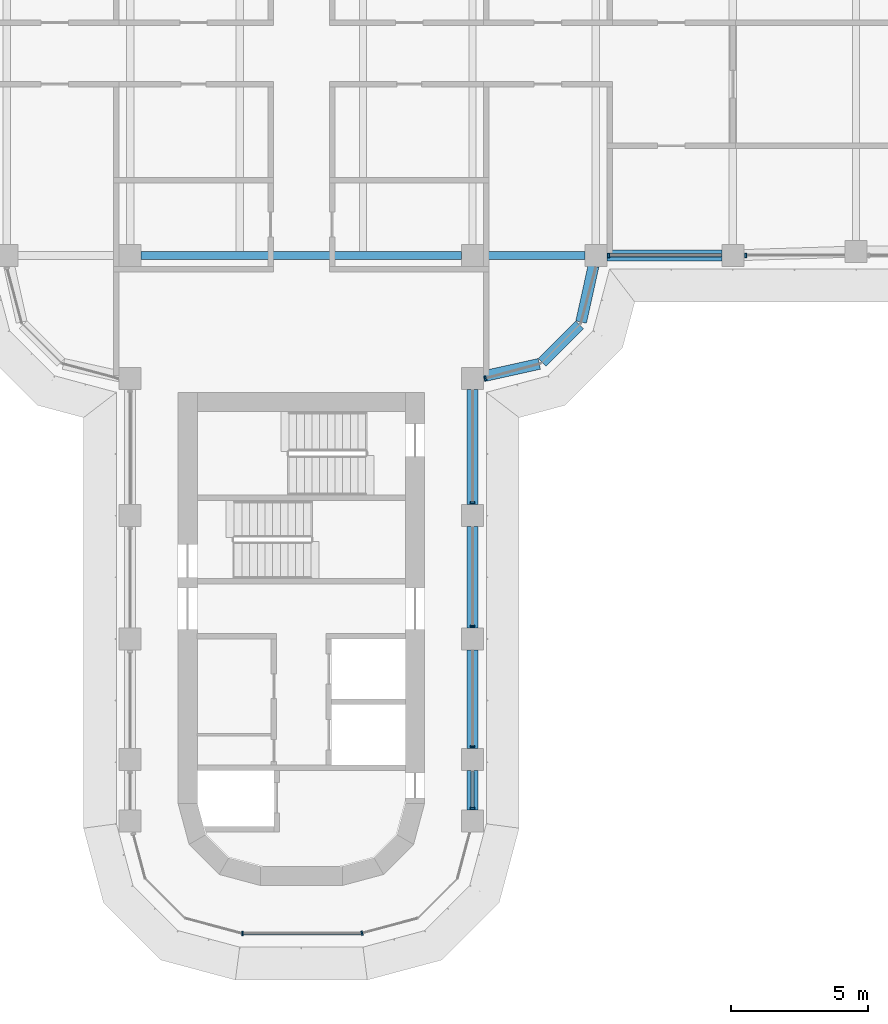
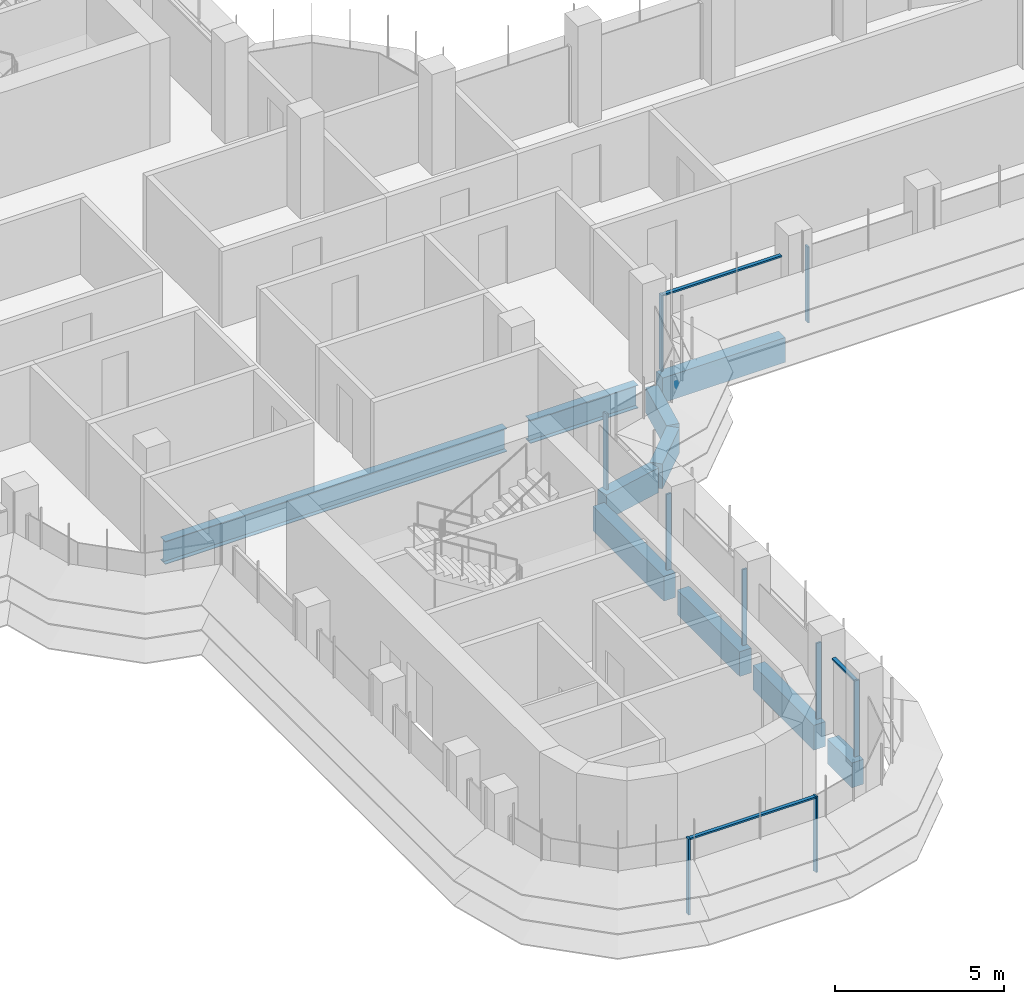
# One storey, part 4 of 19: 12 members, 10 beams, 5 elements without a shape of their own.
"""IFC4 building model written with IfcOpenShell, lengths in metres."""

from ifc_helpers import new_model, si_unit, direction, frame, origin, origin_2d, place, context, subcontext, project, spatial, polyline, rectangle, i_section, outline, extrude, source, transform, mapped, material, material_profile, profile_set, type_object, element, aggregate, save


model = new_model("IFC4")

# Units and contexts
model_context = context("Model", 3, precision=1e-05, world=origin(), true_north=direction((0.0, 1.0)))
body_context = subcontext(model_context, "Body", "Model", "MODEL_VIEW")
ifc_project = project(units=[si_unit("LENGTHUNIT", "METRE"), si_unit("AREAUNIT", "SQUARE_METRE"), si_unit("VOLUMEUNIT", "CUBIC_METRE"), si_unit("PLANEANGLEUNIT", "RADIAN"), si_unit("MASSUNIT", "GRAM", prefix="KILO")], contexts=[model_context])

# Site, building, storey
site_placement = place(None, origin())
site = spatial("IfcSite", under=ifc_project, at=site_placement, CompositionType="ELEMENT")
building_placement = place(site_placement, origin())
building = spatial("IfcBuilding", under=site, at=building_placement, Name="Zarbagh Exchange Tower", CompositionType="ELEMENT")
storey_placement = place(building_placement, frame((0.0, 0.0, 182.800048828125)))
storey = spatial("IfcBuildingStorey", under=building, at=storey_placement, Name="L44", CompositionType="ELEMENT", Elevation=182.800048828125)

# Beams
ifc_material_1 = material(Name="Steel ASTM A992 Gr 50", Category="steel")
ifc_material_profile_1 = material_profile(ifc_material_1, i_section(OverallWidth=0.2919921875, OverallDepth=0.835693359375, WebThickness=0.013916015625, FlangeThickness=0.018798828125, at=origin_2d()), Name="W33X118")
ifc_profile_set_1 = profile_set([ifc_material_profile_1], Name="Steel ASTM A992 Gr 50")
beam_type_1 = type_object("IfcBeamType", Name="Floor girder W33X118", PredefinedType="BEAM", material=ifc_profile_set_1)
beam_1_placement = place(storey_placement, frame((-5.85009765625, -6.25, -0.56787109375), z_axis=(1.0, 0.0, 0.0), x_axis=(0.0, 1.0, 0.0)))
element("IfcBeam", 1, at=beam_1_placement, inside=storey, type_object=beam_type_1, Name="Steel girder", PredefinedType="BEAM", context=body_context, shape_type="SweptSolid", body=[
    extrude(i_section(OverallWidth=0.2919921875, OverallDepth=0.835693359375, WebThickness=0.013916015625, FlangeThickness=0.018798828125, at=origin_2d()), origin(), (0.0, 0.0, 1.0), 11.7001953125),
])
beam_2_placement = place(storey_placement, frame((6.64990234375, -6.25, -0.56787109375), z_axis=(1.0, 0.0, 0.0), x_axis=(0.0, 1.0, 0.0)))
element("IfcBeam", 2, at=beam_2_placement, inside=storey, type_object=beam_type_1, Name="Steel girder", PredefinedType="BEAM", context=body_context, shape_type="SweptSolid", body=[
    extrude(i_section(OverallWidth=0.2919921875, OverallDepth=0.835693359375, WebThickness=0.013916015625, FlangeThickness=0.018798828125, at=origin_2d()), origin(), (0.0, 0.0, 1.0), 3.7001953125),
])
ifc_material_2 = material(Name="Concrete C50/60", Category="concrete")
ifc_material_profile_2 = material_profile(ifc_material_2, rectangle(XDim=0.39990234375, YDim=0.89990234375, at=origin_2d()), Name="RC spandrel beam 400 x 900 C50/60")
ifc_profile_set_2 = profile_set([ifc_material_profile_2], Name="Concrete C50/60")
beam_type_2 = type_object("IfcBeamType", Name="RC spandrel beam 400 x 900 C50/60", PredefinedType="SPANDREL", material=ifc_profile_set_2)
beam_3_placement = place(storey_placement, frame((15.35009765625, -6.25, -0.60009765625), z_axis=(-1.0, 0.0, 0.0), x_axis=(0.0, -1.0, 0.0)))
element("IfcBeam", 3, at=beam_3_placement, inside=storey, type_object=beam_type_2, Name="RC spandrel beam", PredefinedType="SPANDREL", context=body_context, shape_type="SweptSolid", body=[
    extrude(rectangle(XDim=0.39990234375, YDim=0.89990234375, at=origin_2d()), origin(), (0.0, 0.0, 1.0), 4.2001953125),
])
beam_4_placement = place(storey_placement, frame((10.66357421875, -6.640625, -0.60009765625), z_axis=(-0.216041061437, -0.976384278741, 0.0), x_axis=(0.976384278741, -0.216041061437, 0.0)))
element("IfcBeam", 4, at=beam_4_placement, inside=storey, type_object=beam_type_2, Name="RC spandrel beam", PredefinedType="SPANDREL", context=body_context, shape_type="SweptSolid", body=[
    extrude(rectangle(XDim=0.39990234375, YDim=0.89990234375, at=origin_2d()), origin(), (0.0, 0.0, 1.0), 2.0927734375),
])
beam_5_placement = place(storey_placement, frame((10.15771484375, -8.782470703125, -0.60009765625), z_axis=(-0.707106781187, -0.707106781187, 0.0), x_axis=(0.707106781187, -0.707106781187, 0.0)))
element("IfcBeam", 5, at=beam_5_placement, inside=storey, type_object=beam_type_2, Name="RC spandrel beam", PredefinedType="SPANDREL", context=body_context, shape_type="SweptSolid", body=[
    extrude(rectangle(XDim=0.39990234375, YDim=0.89990234375, at=origin_2d()), origin(), (0.0, 0.0, 1.0), 1.94482421875),
])
beam_6_placement = place(storey_placement, frame((8.68408203125, -10.21142578125, -0.60009765625), z_axis=(-0.976384278741, -0.216041061437, 0.0), x_axis=(0.216041061437, -0.976384278741, 0.0)))
element("IfcBeam", 6, at=beam_6_placement, inside=storey, type_object=beam_type_2, Name="RC spandrel beam", PredefinedType="SPANDREL", context=body_context, shape_type="SweptSolid", body=[
    extrude(rectangle(XDim=0.39990234375, YDim=0.89990234375, at=origin_2d()), origin(), (0.0, 0.0, 1.0), 2.0927734375),
])
beam_7_placement = place(storey_placement, frame((6.25, -11.14990234375, -0.60009765625), z_axis=(0.0, -1.0, 0.0), x_axis=(1.0, 0.0, 0.0)))
element("IfcBeam", 7, at=beam_7_placement, inside=storey, type_object=beam_type_2, Name="RC spandrel beam", PredefinedType="SPANDREL", context=body_context, shape_type="SweptSolid", body=[
    extrude(rectangle(XDim=0.39990234375, YDim=0.89990234375, at=origin_2d()), origin(), (0.0, 0.0, 1.0), 4.2001953125),
])
beam_8_placement = place(storey_placement, frame((6.25, -16.14990234375, -0.60009765625), z_axis=(0.0, -1.0, 0.0), x_axis=(1.0, 0.0, 0.0)))
element("IfcBeam", 8, at=beam_8_placement, inside=storey, type_object=beam_type_2, Name="RC spandrel beam", PredefinedType="SPANDREL", context=body_context, shape_type="SweptSolid", body=[
    extrude(rectangle(XDim=0.39990234375, YDim=0.89990234375, at=origin_2d()), origin(), (0.0, 0.0, 1.0), 3.7001953125),
])
beam_9_placement = place(storey_placement, frame((6.25, -20.64990234375, -0.60009765625), z_axis=(0.0, -1.0, 0.0), x_axis=(1.0, 0.0, 0.0)))
element("IfcBeam", 9, at=beam_9_placement, inside=storey, type_object=beam_type_2, Name="RC spandrel beam", PredefinedType="SPANDREL", context=body_context, shape_type="SweptSolid", body=[
    extrude(rectangle(XDim=0.39990234375, YDim=0.89990234375, at=origin_2d()), origin(), (0.0, 0.0, 1.0), 3.60009765625),
])
beam_10_placement = place(storey_placement, frame((6.25, -25.050048828125, -0.60009765625), z_axis=(0.0, -1.0, 0.0), x_axis=(1.0, 0.0, 0.0)))
element("IfcBeam", 10, at=beam_10_placement, inside=storey, type_object=beam_type_2, Name="RC spandrel beam", PredefinedType="SPANDREL", context=body_context, shape_type="SweptSolid", body=[
    extrude(rectangle(XDim=0.39990234375, YDim=0.89990234375, at=origin_2d()), origin(), (0.0, 0.0, 1.0), 1.449951171875),
])

# Curtain wall, member
ifc_material_3 = material(Name="Anodised aluminium frame and glazing", Category="aluminium")
curtain_wall_type = type_object("IfcCurtainWallType", Name="CWB Ribbon glazing, upper zones", PredefinedType="NOTDEFINED", material=ifc_material_3)
curtain_wall_1_placement = place(storey_placement, origin())
curtain_wall_1 = element("IfcCurtainWall", 11, at=curtain_wall_1_placement, inside=storey, type_object=curtain_wall_type, Name="CWB49 curtain wall", PredefinedType="NOTDEFINED")
ifc_material_4 = material(Name="Anodised aluminium frame", Category="aluminium")
member_type_1 = type_object("IfcMemberType", Name="MUB Mullion, anodised aluminium frame", PredefinedType="MULLION", material=ifc_material_4)
shared_shape_1 = source(origin(), body_context, "Body", "SweptSolid", [
    extrude(outline(polyline([(0.0, -0.080078125), (0.06005859375, -0.080078125), (0.06005859375, 0.080078125), (0.0, 0.080078125), (0.0, -0.080078125)])), origin(), (0.0, 0.0, 1.0), 2.75),
])
placement = place(storey_placement, origin())
member_1 = element("IfcMember", 12, at=placement, type_object=member_type_1, Name="CWB49 mullion 1.1", PredefinedType="MULLION", context=body_context, shape_type="MappedRepresentation", body=[
    mapped(shared_shape_1, transform((2.18408203125, -31.0, 0.0), x_axis=(0.965924289636, 0.258824779902, 0.0), y_axis=(-0.258824779902, 0.965924289636, 0.0), z_axis=(0.0, 0.0, 1.0))),
])
aggregate(curtain_wall_1, [member_1])

# Curtain wall, members
curtain_wall_2_placement = place(storey_placement, origin())
curtain_wall_2 = element("IfcCurtainWall", 13, at=curtain_wall_2_placement, inside=storey, type_object=curtain_wall_type, Name="CWB52 curtain wall", PredefinedType="NOTDEFINED")
member_2 = element("IfcMember", 14, at=placement, type_object=member_type_1, Name="CWB52 mullion 1.1", PredefinedType="MULLION", context=body_context, shape_type="MappedRepresentation", body=[
    mapped(shared_shape_1, transform((6.25, -26.4599609375, 0.0), x_axis=(0.0, 1.0, 0.0), y_axis=(-1.0, 0.0, 0.0), z_axis=(0.0, 0.0, 1.0))),
])
member_3 = element("IfcMember", 15, at=placement, type_object=member_type_1, Name="CWB52 mullion 2.1", PredefinedType="MULLION", context=body_context, shape_type="MappedRepresentation", body=[
    mapped(shared_shape_1, transform((6.25, -24.2099609375, 0.0), x_axis=(0.0, 1.0, 0.0), y_axis=(-1.0, 0.0, 0.0), z_axis=(0.0, 0.0, 1.0))),
])
member_4 = element("IfcMember", 16, at=placement, type_object=member_type_1, Name="CWB52 mullion 3.1", PredefinedType="MULLION", context=body_context, shape_type="MappedRepresentation", body=[
    mapped(shared_shape_1, transform((6.25, -19.81005859375, 0.0), x_axis=(0.0, 1.0, 0.0), y_axis=(-1.0, 0.0, 0.0), z_axis=(0.0, 0.0, 1.0))),
])
member_5 = element("IfcMember", 17, at=placement, type_object=member_type_1, Name="CWB52 mullion 4.1", PredefinedType="MULLION", context=body_context, shape_type="MappedRepresentation", body=[
    mapped(shared_shape_1, transform((6.25, -15.31005859375, 0.0), x_axis=(0.0, 1.0, 0.0), y_axis=(-1.0, 0.0, 0.0), z_axis=(0.0, 0.0, 1.0))),
])

# Curtain wall, member
curtain_wall_3_placement = place(storey_placement, origin())
curtain_wall_3 = element("IfcCurtainWall", 18, at=curtain_wall_3_placement, inside=storey, type_object=curtain_wall_type, Name="CWB05 curtain wall", PredefinedType="NOTDEFINED")
member_6 = element("IfcMember", 19, at=placement, type_object=member_type_1, Name="CWB05 mullion 1.1", PredefinedType="MULLION", context=body_context, shape_type="MappedRepresentation", body=[
    mapped(shared_shape_1, transform((6.68994140625, -10.74853515625, 0.0), x_axis=(0.965924289636, 0.258824779902, 0.0), y_axis=(-0.258824779902, 0.965924289636, 0.0), z_axis=(0.0, 0.0, 1.0))),
])
aggregate(curtain_wall_3, [member_6])

# Curtain wall, members
curtain_wall_4_placement = place(storey_placement, origin())
curtain_wall_4 = element("IfcCurtainWall", 20, at=curtain_wall_4_placement, inside=storey, type_object=curtain_wall_type, Name="CWB08 curtain wall", PredefinedType="NOTDEFINED")
member_7 = element("IfcMember", 21, at=placement, type_object=member_type_1, Name="CWB08 mullion 1.1", PredefinedType="MULLION", context=body_context, shape_type="MappedRepresentation", body=[
    mapped(shared_shape_1, transform((11.18994140625, -6.25, 0.0), x_axis=(1.0, 0.0, 0.0), y_axis=(0.0, 1.0, 0.0), z_axis=(0.0, 0.0, 1.0))),
])
member_8 = element("IfcMember", 22, at=placement, type_object=member_type_1, Name="CWB08 mullion 2.1", PredefinedType="MULLION", context=body_context, shape_type="MappedRepresentation", body=[
    mapped(shared_shape_1, transform((16.18994140625, -6.25, 0.0), x_axis=(1.0, 0.0, 0.0), y_axis=(0.0, 1.0, 0.0), z_axis=(0.0, 0.0, 1.0))),
])

curtain_wall_5_placement = place(storey_placement, origin())
curtain_wall_5 = element("IfcCurtainWall", 23, at=curtain_wall_5_placement, inside=storey, type_object=curtain_wall_type, Name="CWB57 curtain wall", PredefinedType="NOTDEFINED")
member_9 = element("IfcMember", 24, at=placement, type_object=member_type_1, Name="CWB57 mullion 1.1", PredefinedType="MULLION", context=body_context, shape_type="MappedRepresentation", body=[
    mapped(shared_shape_1, transform((-2.18408203125, -31.0, 0.0), x_axis=(1.0, 0.0, 0.0), y_axis=(0.0, 1.0, 0.0), z_axis=(0.0, 0.0, 1.0))),
])
member_type_2 = type_object("IfcMemberType", Name="TRB Transom, anodised aluminium frame", PredefinedType="USERDEFINED", material=ifc_material_4)
shared_shape_2 = source(origin(), body_context, "Body", "SweptSolid", [
    extrude(outline(polyline([(-0.06005859375, -0.06005859375), (0.0, -0.06005859375), (0.0, 0.06005859375), (-0.06005859375, 0.06005859375), (-0.06005859375, -0.06005859375)])), origin(), (0.0, 0.0, 1.0), 4.308349609375),
])
member_10 = element("IfcMember", 25, at=placement, type_object=member_type_2, Name="CWB57 transom 1.1", ObjectType="TRANSOM", PredefinedType="USERDEFINED", context=body_context, shape_type="MappedRepresentation", body=[
    mapped(shared_shape_2, transform((-2.124267578125, -31.0, 2.75), x_axis=(0.0, 0.0, 1.0), y_axis=(0.0, -1.0, 0.0), z_axis=(1.0, 0.0, 0.0))),
])
aggregate(curtain_wall_5, [member_9, member_10])

# Member
shared_shape_3 = source(origin(), body_context, "Body", "SweptSolid", [
    extrude(outline(polyline([(-0.06005859375, -0.06005859375), (0.0, -0.06005859375), (0.0, 0.06005859375), (-0.06005859375, 0.06005859375), (-0.06005859375, -0.06005859375)])), origin(), (0.0, 0.0, 1.0), 4.06005859375),
])
member_11 = element("IfcMember", 26, at=placement, type_object=member_type_2, Name="CWB08 transom 1.1", ObjectType="TRANSOM", PredefinedType="USERDEFINED", context=body_context, shape_type="MappedRepresentation", body=[
    mapped(shared_shape_3, transform((11.25, -6.25, 2.75), x_axis=(0.0, 0.0, 1.0), y_axis=(0.0, -1.0, 0.0), z_axis=(1.0, 0.0, 0.0))),
])

aggregate(curtain_wall_4, [member_7, member_11, member_8])

shared_shape_4 = source(origin(), body_context, "Body", "SweptSolid", [
    extrude(outline(polyline([(-0.06005859375, -0.06005859375), (0.0, -0.06005859375), (0.0, 0.06005859375), (-0.06005859375, 0.06005859375), (-0.06005859375, -0.06005859375)])), origin(), (0.0, 0.0, 1.0), 1.31005859375),
])
member_12 = element("IfcMember", 27, at=placement, type_object=member_type_2, Name="CWB52 transom 1.1", ObjectType="TRANSOM", PredefinedType="USERDEFINED", context=body_context, shape_type="MappedRepresentation", body=[
    mapped(shared_shape_4, transform((6.25, -26.39990234375, 2.75), x_axis=(0.0, 0.0, 1.0), y_axis=(1.0, 0.0, 0.0), z_axis=(0.0, 1.0, 0.0))),
])

aggregate(curtain_wall_2, [member_2, member_12, member_3, member_4, member_5])

save(model, "model.ifc")
